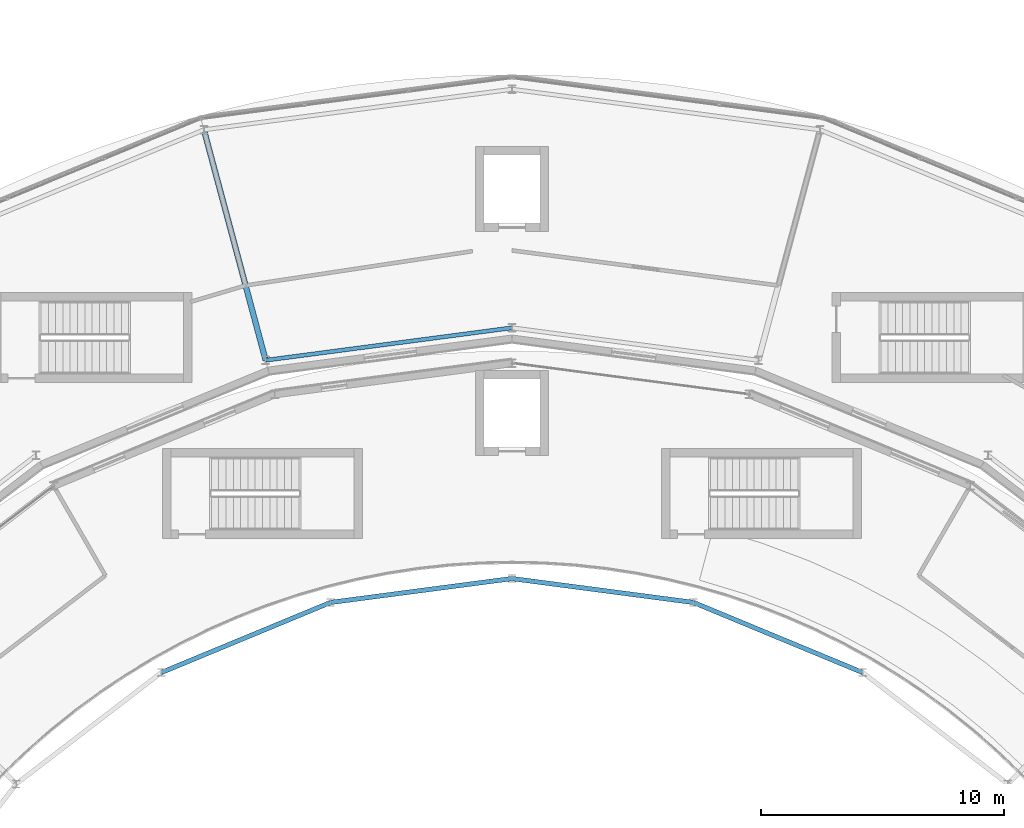
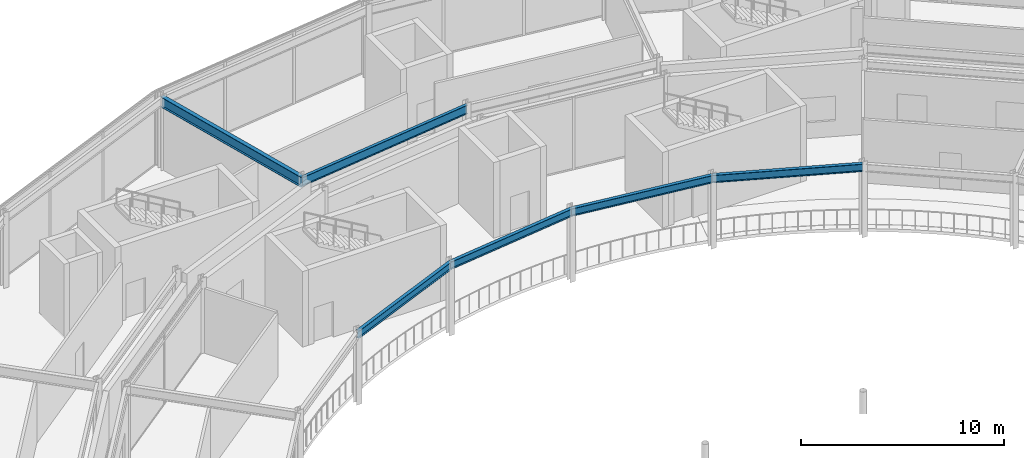
# One storey, part 64 of 133: 6 beams.
"""IFC4 building model written with IfcOpenShell, lengths in metres."""

from ifc_helpers import new_model, si_unit, direction, frame, origin, origin_2d, place, context, subcontext, project, spatial, i_section, extrude, material, material_profile, profile_set, type_object, element, save


model = new_model("IFC4")

# Units and contexts
model_context = context("Model", 3, precision=1e-05, world=origin(), true_north=direction((0.0, 1.0)))
body_context = subcontext(model_context, "Body", "Model", "MODEL_VIEW")
ifc_project = project(units=[si_unit("LENGTHUNIT", "METRE"), si_unit("AREAUNIT", "SQUARE_METRE"), si_unit("VOLUMEUNIT", "CUBIC_METRE"), si_unit("PLANEANGLEUNIT", "RADIAN"), si_unit("MASSUNIT", "GRAM", prefix="KILO")], contexts=[model_context])

# Site, building, storey
site_placement = place(None, origin())
site = spatial("IfcSite", under=ifc_project, at=site_placement, CompositionType="ELEMENT")
building_placement = place(site_placement, origin())
building = spatial("IfcBuilding", under=site, at=building_placement, Name="Almandine Court Research Institute", CompositionType="ELEMENT")
storey_placement = place(building_placement, frame((0.0, 0.0, 9.800048828125)))
storey = spatial("IfcBuildingStorey", under=building, at=storey_placement, Name="L02", CompositionType="ELEMENT", Elevation=9.800048828125)

# Beams
ifc_material = material(Name="Steel ASTM A992 Grade 50", Category="steel")
ifc_material_profile_1 = material_profile(ifc_material, i_section(OverallWidth=0.18994140625, OverallDepth=0.45703125, WebThickness=0.009033203125, FlangeThickness=0.014892578125, at=origin_2d()), Name="W460x74")
ifc_profile_set_1 = profile_set([ifc_material_profile_1], Name="Steel ASTM A992 Grade 50")
beam_type_1 = type_object("IfcBeamType", Name="Beam-B-01", PredefinedType="BEAM", material=ifc_profile_set_1)
beam_1_placement = place(storey_placement, frame((101.39990234375, 80.94189453125, 4.140869140625), z_axis=(-0.923872366395, 0.382700732442, 0.0), x_axis=(-0.382700732442, -0.923872366395, 0.0)))
element("IfcBeam", 1, at=beam_1_placement, inside=storey, type_object=beam_type_1, Name="L02 Atrium Gallery Edge Beam", PredefinedType="BEAM", context=body_context, shape_type="SweptSolid", body=[
    extrude(i_section(OverallWidth=0.18994140625, OverallDepth=0.45703125, WebThickness=0.009033203125, FlangeThickness=0.014892578125, at=origin_2d()), origin(), (0.0, 0.0, 1.0), 7.51806640625),
])
for number, where, z_axis, x_axis, name in (
    (2, (94.4541015625, 83.819091796875, 4.140869140625), (-0.991451642713, 0.130474672489, 0.0), (-0.130474672489, -0.991451642713, 0.0), "L02 Atrium Gallery Edge Beam"),
    (3, (87.0, 84.800048828125, 4.140869140625), (-0.991451642713, -0.130474672489, 0.0), (0.130474672489, -0.991451642713, 0.0), "L02 Atrium Gallery Edge Beam"),
):
    element("IfcBeam", number, at=place(storey_placement, frame(where, z_axis=z_axis, x_axis=x_axis)), inside=storey, type_object=beam_type_1, Name=name, PredefinedType="BEAM", context=body_context, shape_type="SweptSolid", body=[
        extrude(i_section(OverallWidth=0.18994140625, OverallDepth=0.45703125, WebThickness=0.009033203125, FlangeThickness=0.014892578125, at=origin_2d()), origin(), (0.0, 0.0, 1.0), 7.518310546875),
    ])
beam_2_placement = place(storey_placement, frame((79.5458984375, 83.819091796875, 4.140869140625), z_axis=(-0.923872366395, -0.382700732442, 0.0), x_axis=(0.382700732442, -0.923872366395, 0.0)))
element("IfcBeam", 4, at=beam_2_placement, inside=storey, type_object=beam_type_1, Name="L02 Atrium Gallery Edge Beam", PredefinedType="BEAM", context=body_context, shape_type="SweptSolid", body=[
    extrude(i_section(OverallWidth=0.18994140625, OverallDepth=0.45703125, WebThickness=0.009033203125, FlangeThickness=0.014892578125, at=origin_2d()), origin(), (0.0, 0.0, 1.0), 7.51806640625),
])
ifc_material_profile_2 = material_profile(ifc_material, i_section(OverallWidth=0.22998046875, OverallDepth=0.616943359375, WebThickness=0.012939453125, FlangeThickness=0.02197265625, at=origin_2d()), Name="W610x140")
ifc_profile_set_2 = profile_set([ifc_material_profile_2], Name="Steel ASTM A992 Grade 50")
beam_type_2 = type_object("IfcBeamType", Name="Beam-G-02", PredefinedType="BEAM", material=ifc_profile_set_2)
beam_3_placement = place(storey_placement, frame((76.8798828125, 93.76806640625, 4.06103515625), z_axis=(-0.258774274024, 0.965937821551, 0.0), x_axis=(-0.965937821551, -0.258774274024, 0.0)))
element("IfcBeam", 5, at=beam_3_placement, inside=storey, type_object=beam_type_2, Name="L02 Drum Radial Girder 07", PredefinedType="BEAM", context=body_context, shape_type="SweptSolid", body=[
    extrude(i_section(OverallWidth=0.22998046875, OverallDepth=0.616943359375, WebThickness=0.012939453125, FlangeThickness=0.02197265625, at=origin_2d()), origin(), (0.0, 0.0, 1.0), 9.799560546875),
])
ifc_material_profile_3 = material_profile(ifc_material, i_section(OverallWidth=0.166015625, OverallDepth=0.534912109375, WebThickness=0.010009765625, FlangeThickness=0.01708984375, at=origin_2d()), Name="W530x85")
ifc_profile_set_3 = profile_set([ifc_material_profile_3], Name="Steel ASTM A992 Grade 50")
beam_type_3 = type_object("IfcBeamType", Name="Beam-G-05-E", PredefinedType="SPANDREL", material=ifc_profile_set_3)
beam_4_placement = place(storey_placement, frame((87.0, 95.10009765625, 4.10205078125), z_axis=(-0.991448758831, -0.130496584681, 0.0), x_axis=(0.130496584681, -0.991448758831, 0.0)))
element("IfcBeam", 6, at=beam_4_placement, inside=storey, type_object=beam_type_3, Name="L02 Drum IN Ring Beam 06", PredefinedType="SPANDREL", context=body_context, shape_type="SweptSolid", body=[
    extrude(i_section(OverallWidth=0.166015625, OverallDepth=0.534912109375, WebThickness=0.010009765625, FlangeThickness=0.01708984375, at=origin_2d()), origin(), (0.0, 0.0, 1.0), 10.20751953125),
])

save(model, "model.ifc")
